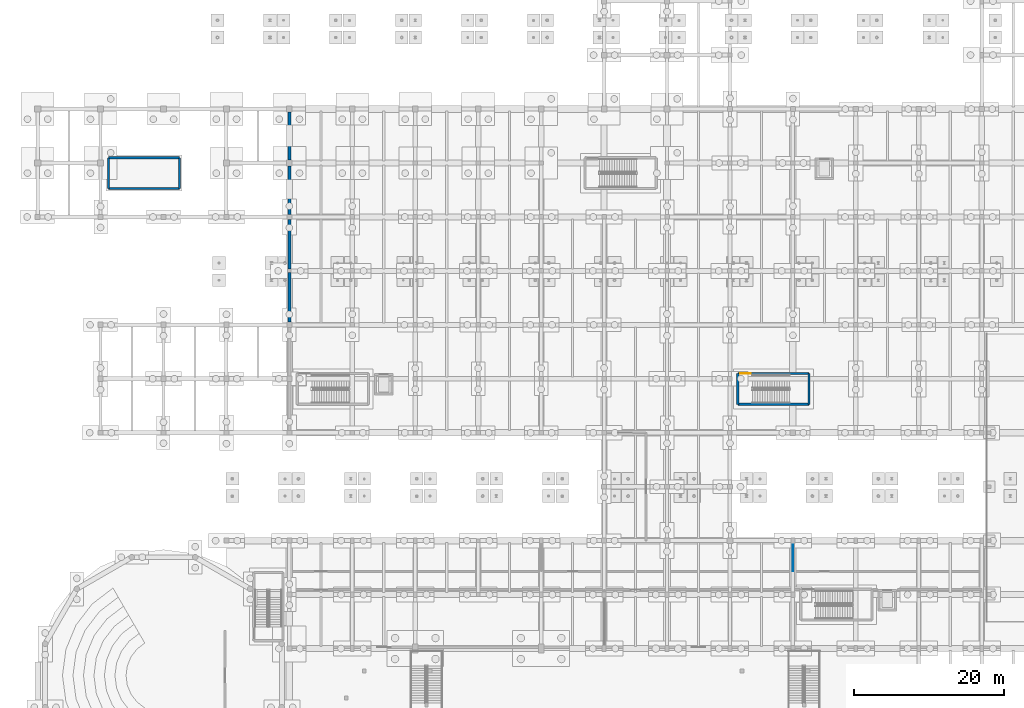
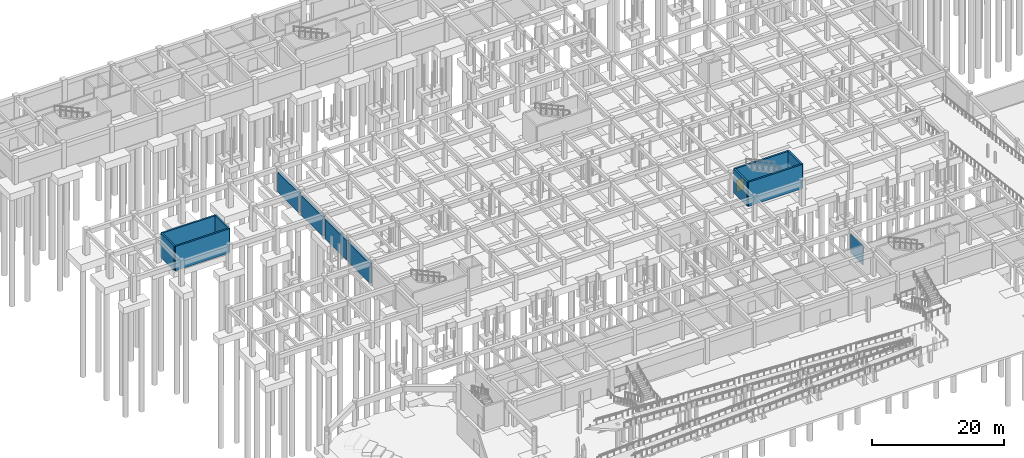
# One storey, part 60 of 80: 13 walls, 1 door, 1 opening.
"""IFC4 building model written with IfcOpenShell, lengths in metres."""

import ifcopenshell
import ifcopenshell.guid

model = None  # the IFC model being written
_history = None  # IfcOwnerHistory: only IFC2X3 demands one
_inside = {}  # id of a spatial element -> (the spatial element, [elements in it])
_under = {}  # id of a project, library or spatial element -> (it, [spatial elements below it])
_declared = {}  # id of a project -> (the project, [libraries it declares])
_typed = {}  # id of a type object -> (the type object, [elements of that type])
_made_of = {}  # id of a material, layer set ... -> (it, [elements and type objects made of it])


def new_model(schema):
    """Start an empty IFC model of exactly this schema.

    Asked for "IFC4X3", IfcOpenShell would pick the latest addendum, in which some entities
    have other attributes; the version numbers below select the first issue.
    IFC2X3 requires an IfcOwnerHistory on every rooted entity: one is made here for all.
    """
    global model, _history
    if schema == "IFC4X3":
        model = ifcopenshell.file(schema_version=(4, 3, 0, 0))
    else:
        model = ifcopenshell.file(schema=schema)
    _inside.clear()
    _under.clear()
    _declared.clear()
    _typed.clear()
    _made_of.clear()
    _history = None
    if model.schema == "IFC2X3":
        org = make("IfcOrganization", Name="unknown")
        user = make(
            "IfcPersonAndOrganization",
            ThePerson=make("IfcPerson", FamilyName="unknown"),
            TheOrganization=org,
        )
        app = make(
            "IfcApplication",
            ApplicationDeveloper=org,
            Version="unknown",
            ApplicationFullName="unknown",
            ApplicationIdentifier="unknown",
        )
        _history = make(
            "IfcOwnerHistory",
            OwningUser=user,
            OwningApplication=app,
            ChangeAction="ADDED",
            CreationDate=0,
        )
    return model


def make(cls, **values):
    """One entity of the class cls with the attributes given. An attribute that is None is left unset."""
    return model.create_entity(
        cls, **{name: value for name, value in values.items() if value is not None}
    )


def rooted(cls, **values):
    """An entity with a GlobalId (a new one), such as an element, a storey or a relation."""
    return make(cls, GlobalId=ifcopenshell.guid.new(), OwnerHistory=_history, **values)


def si_unit(unit_type, name, prefix=None):
    """IfcSIUnit, for example si_unit("LENGTHUNIT", "METRE", prefix="MILLI")."""
    return make("IfcSIUnit", UnitType=unit_type, Prefix=prefix, Name=name)


def assignment(units):
    """IfcUnitAssignment: the units of a project."""
    return None if units is None else make("IfcUnitAssignment", Units=units)


def point(xyz):
    """IfcCartesianPoint."""
    return None if xyz is None else make("IfcCartesianPoint", Coordinates=xyz)


def direction(xyz):
    """IfcDirection."""
    return None if xyz is None else make("IfcDirection", DirectionRatios=xyz)


def frame(location, z_axis=None, x_axis=None):
    """IfcAxis2Placement3D, a coordinate frame: its origin and axes. An axis left out is left unset."""
    return make(
        "IfcAxis2Placement3D",
        Location=point(location),
        Axis=direction(z_axis),
        RefDirection=direction(x_axis),
    )


def frame_2d(location, x_axis=None):
    """IfcAxis2Placement2D, a coordinate frame in the plane: its origin and x axis."""
    return make(
        "IfcAxis2Placement2D", Location=point(location), RefDirection=direction(x_axis)
    )


def origin():
    """The frame at (0, 0, 0) with its axes left unset."""
    return frame((0.0, 0.0, 0.0))


def place(relative_to, where):
    """IfcLocalPlacement: puts the frame where relative to a parent placement (None: the world)."""
    return make(
        "IfcLocalPlacement", PlacementRelTo=relative_to, RelativePlacement=where
    )


def context(
    kind, dimensions, precision=None, world=None, true_north=None, identifier=None
):
    """IfcGeometricRepresentationContext, for example the 3D "Model" context."""
    return make(
        "IfcGeometricRepresentationContext",
        ContextIdentifier=identifier,
        ContextType=kind,
        CoordinateSpaceDimension=dimensions,
        Precision=precision,
        WorldCoordinateSystem=world,
        TrueNorth=true_north,
    )


def subcontext(parent, identifier, kind, view, scale=None):
    """IfcGeometricRepresentationSubContext, for example "Body" below "Model"."""
    return make(
        "IfcGeometricRepresentationSubContext",
        ContextIdentifier=identifier,
        ContextType=kind,
        ParentContext=parent,
        TargetScale=scale,
        TargetView=view,
    )


def project(units=None, contexts=None):
    """IfcProject with its units and contexts."""
    return rooted(
        "IfcProject",
        Name="project",
        RepresentationContexts=contexts,
        UnitsInContext=assignment(units),
    )


def spatial(cls, under=None, at=None, **own):
    """A site, building, storey or space (cls), placed at a placement, below another one or the project."""
    s = rooted(cls, ObjectPlacement=at, **own)
    if under is not None:
        _under.setdefault(under.id(), (under, []))[1].append(s)
    return s


def profile(cls, at=None, kind="AREA", **sizes):
    """A parametric profile (cls). Its sizes go by their IFC names, for example OverallWidth=200.0."""
    return make(cls, ProfileType=kind, Position=at, **sizes)


def rectangle(**sizes):
    """IfcRectangleProfileDef."""
    return profile("IfcRectangleProfileDef", **sizes)


def extrude(swept, where, along, depth):
    """IfcExtrudedAreaSolid: the profile swept, set in the frame where, extruded along a direction by depth."""
    return make(
        "IfcExtrudedAreaSolid",
        SweptArea=swept,
        Position=where,
        ExtrudedDirection=direction(along),
        Depth=depth,
    )


def shape(context_of_items, identifier, shape_type, items):
    """IfcShapeRepresentation: the items that make up one representation, for example the "Body"."""
    return make(
        "IfcShapeRepresentation",
        ContextOfItems=context_of_items,
        RepresentationIdentifier=identifier,
        RepresentationType=shape_type,
        Items=items,
    )


def material(Name=None, Category=None):
    """IfcMaterial."""
    return make("IfcMaterial", Name=Name, Category=Category)


def layer(
    of_material, thickness, ventilated=None, Name=None, Category=None, Priority=None
):
    """IfcMaterialLayer: one layer of a wall or slab, of a material (None: an air gap)."""
    return make(
        "IfcMaterialLayer",
        Material=of_material,
        LayerThickness=thickness,
        IsVentilated=ventilated,
        Name=Name,
        Category=Category,
        Priority=Priority,
    )


def layer_set(layers, Name=None):
    """IfcMaterialLayerSet."""
    return make("IfcMaterialLayerSet", MaterialLayers=layers, LayerSetName=Name)


def made_of(thing, what):
    """Note that an element or type object is made of a material, layer set ...; save() writes the relation."""
    if what is not None:
        _made_of.setdefault(what.id(), (what, []))[1].append(thing)
    return thing


def type_object(cls, material=None, **own):
    """A type object (cls), such as IfcWallType, which elements share."""
    return made_of(rooted(cls, **own), material)


def element(
    cls,
    number,
    at=None,
    inside=None,
    cuts=None,
    type_object=None,
    material=None,
    context=None,
    identifier="Body",
    shape_type=None,
    held_by="IfcProductDefinitionShape",
    body=None,
    shapes=None,
    **own,
):
    """One element of the class cls, such as IfcWall. Its Tag is "e" and its number.

    at: its placement. inside: the storey or other place that contains it. cuts: it is an
    opening in that element (IfcRelVoidsElement). A single representation is given by context,
    identifier, shape_type and body (its items); several are given by shapes. held_by: the class
    of the entity that holds the representations. save() writes the other relations.
    """
    e = rooted(cls, Tag="e%d" % number, ObjectPlacement=at, **own)
    if body is not None:
        shapes = [shape(context, identifier, shape_type, body)]
    if shapes is not None:
        e.Representation = make(held_by, Representations=shapes)
    if inside is not None:
        _inside.setdefault(inside.id(), (inside, []))[1].append(e)
    if cuts is not None:
        rooted(
            "IfcRelVoidsElement", RelatingBuildingElement=cuts, RelatedOpeningElement=e
        )
    if type_object is not None:
        _typed.setdefault(type_object.id(), (type_object, []))[1].append(e)
    return made_of(e, material)


def fill(opening, filler):
    """IfcRelFillsElement: the door or window that sits in an opening."""
    return rooted(
        "IfcRelFillsElement",
        RelatingOpeningElement=opening,
        RelatedBuildingElement=filler,
    )


def aggregate(whole, parts):
    """IfcRelAggregates: a whole, such as a stair, and the parts it consists of."""
    return rooted("IfcRelAggregates", RelatingObject=whole, RelatedObjects=parts)


def save(model, path):
    """Write the relations noted so far, then the file.

    IfcRelAggregates (storeys below a building ...), IfcRelContainedInSpatialStructure (elements
    in a storey), IfcRelDefinesByType, IfcRelAssociatesMaterial and IfcRelDeclares: one each for
    every whole, place, type object, material and project.
    """
    for whole, parts in _under.values():
        aggregate(whole, parts)
    for where, things in _inside.values():
        rooted(
            "IfcRelContainedInSpatialStructure",
            RelatedElements=things,
            RelatingStructure=where,
        )
    for kind, things in _typed.values():
        rooted("IfcRelDefinesByType", RelatedObjects=things, RelatingType=kind)
    for what, things in _made_of.values():
        rooted("IfcRelAssociatesMaterial", RelatedObjects=things, RelatingMaterial=what)
    for by, libraries in _declared.values():
        rooted("IfcRelDeclares", RelatingContext=by, RelatedDefinitions=libraries)
    model.write(path)


model = new_model("IFC4")

# Units and contexts
model_context = context("Model", 3, precision=1e-05, world=origin(), true_north=direction((0.0, 1.0)))
body_context = subcontext(model_context, "Body", "Model", "MODEL_VIEW")
ifc_project = project(units=[si_unit("LENGTHUNIT", "METRE"), si_unit("AREAUNIT", "SQUARE_METRE"), si_unit("VOLUMEUNIT", "CUBIC_METRE"), si_unit("PLANEANGLEUNIT", "RADIAN"), si_unit("MASSUNIT", "GRAM", prefix="KILO")], contexts=[model_context])

# Site, building, storey
site_placement = place(None, origin())
site = spatial("IfcSite", under=ifc_project, at=site_placement, CompositionType="ELEMENT")
building_placement = place(site_placement, origin())
building = spatial("IfcBuilding", under=site, at=building_placement, Name="Malvenik Polytechnic", CompositionType="ELEMENT")
storey_placement = place(building_placement, frame((0.0, 0.0, -4.800048828125)))
storey = spatial("IfcBuildingStorey", under=building, at=storey_placement, Name="B1", CompositionType="ELEMENT", Elevation=-4.800048828125)

# Walls
ifc_material_1 = material(Name="Concrete C35/45", Category="concrete")
ifc_layer_1 = layer(ifc_material_1, 0.300048828125)
ifc_layer_set_1 = layer_set([ifc_layer_1], Name="Concrete C35/45")
wall_type_1 = type_object("IfcWallType", Name="ARC-CW-S300", PredefinedType="SHEAR", material=ifc_layer_set_1)
wall_1_placement = place(storey_placement, frame((9.449951171875, 83.0, 0.0), z_axis=(0.0, 0.0, 1.0), x_axis=(0.0, 1.0, 0.0)))
element("IfcWall", 1, at=wall_1_placement, inside=storey, type_object=wall_type_1, Name="Stair Core Shear Wall ST-04 B1 NEAR", PredefinedType="SHEAR", context=body_context, shape_type="SweptSolid", body=[
    extrude(rectangle(XDim=4.10009765625, YDim=0.300048828125, at=frame_2d((2.050048828125, 0.0))), origin(), (0.0, 0.0, 1.0), 4.5),
])
wall_2_placement = place(storey_placement, frame((9.449951171875, 87.10009765625, 0.0), z_axis=(0.0, 0.0, 1.0), x_axis=(1.0, 0.0, 0.0)))
element("IfcWall", 2, at=wall_2_placement, inside=storey, type_object=wall_type_1, Name="Stair Core Shear Wall ST-04 B1 RGHT", PredefinedType="SHEAR", context=body_context, shape_type="SweptSolid", body=[
    extrude(rectangle(XDim=9.5, YDim=0.300048828125, at=frame_2d((4.75, 0.0))), origin(), (0.0, 0.0, 1.0), 4.5),
])
wall_3_placement = place(storey_placement, frame((18.949951171875, 87.10009765625, 0.0), z_axis=(0.0, 0.0, 1.0), x_axis=(0.0, -1.0, 0.0)))
element("IfcWall", 3, at=wall_3_placement, inside=storey, type_object=wall_type_1, Name="Stair Core Shear Wall ST-04 B1 FAR", PredefinedType="SHEAR", context=body_context, shape_type="SweptSolid", body=[
    extrude(rectangle(XDim=4.10009765625, YDim=0.300048828125, at=frame_2d((2.050048828125, 0.0))), origin(), (0.0, 0.0, 1.0), 4.5),
])
wall_4_placement = place(storey_placement, frame((18.949951171875, 83.0, 0.0), z_axis=(0.0, 0.0, 1.0), x_axis=(-1.0, 0.0, 0.0)))
element("IfcWall", 4, at=wall_4_placement, inside=storey, type_object=wall_type_1, Name="Stair Core Shear Wall ST-04 B1 LEFT", PredefinedType="SHEAR", context=body_context, shape_type="SweptSolid", body=[
    extrude(rectangle(XDim=9.5, YDim=0.300048828125, at=frame_2d((4.75, 0.0))), origin(), (0.0, 0.0, 1.0), 4.5),
])
wall_5_placement = place(storey_placement, frame((93.449951171875, 54.199951171875, 0.0), z_axis=(0.0, 0.0, 1.0), x_axis=(0.0, 1.0, 0.0)))
element("IfcWall", 5, at=wall_5_placement, inside=storey, type_object=wall_type_1, Name="Stair Core Shear Wall ST-07 B1 NEAR", PredefinedType="SHEAR", context=body_context, shape_type="SweptSolid", body=[
    extrude(rectangle(XDim=4.10009765625, YDim=0.300048828125, at=frame_2d((2.050048828125, 0.0))), origin(), (0.0, 0.0, 1.0), 4.5),
])

# Wall, opening, door
wall_6_placement = place(storey_placement, frame((93.449951171875, 58.300048828125, 0.0), z_axis=(0.0, 0.0, 1.0), x_axis=(1.0, 0.0, 0.0)))
wall_6 = element("IfcWall", 6, at=wall_6_placement, inside=storey, type_object=wall_type_1, Name="Stair Core Shear Wall ST-07 B1 RGHT", PredefinedType="SHEAR", context=body_context, shape_type="SweptSolid", body=[
    extrude(rectangle(XDim=9.5, YDim=0.300048828125, at=frame_2d((4.75, 0.0))), origin(), (0.0, 0.0, 1.0), 4.5),
])
opening_placement = place(wall_6_placement, frame((0.35009765625, 0.0, 0.0)))
opening = element("IfcOpeningElement", 7, at=opening_placement, cuts=wall_6, Name="Opening SD-01", PredefinedType="OPENING", context=body_context, shape_type="SweptSolid", body=[
    extrude(rectangle(XDim=1.35009765625, YDim=2.199951171875, at=frame_2d((0.675048828125, 1.10009765625))), frame((0.0, 0.16015625, 0.0), z_axis=(0.0, -1.0, 0.0), x_axis=(1.0, 0.0, 0.0)), (0.0, 0.0, 1.0), 0.320068359375),
])
ifc_material_2 = material(Name="Fire-rated steel stair enclosure door", Category="steel")
door_type = type_object("IfcDoorType", Name="ARC-IDR-SD-01", OperationType="NOTDEFINED", PredefinedType="DOOR", material=ifc_material_2)
door_placement = place(opening_placement, origin())
door = element("IfcDoor", 8, at=door_placement, inside=storey, type_object=door_type, Name="Fire Stair Door ST-07 B1", OperationType="SINGLE_SWING_RIGHT", OverallHeight=2.199951171875, OverallWidth=1.35009765625, PredefinedType="DOOR", context=body_context, shape_type="SweptSolid", body=[
    extrude(rectangle(XDim=1.35009765625, YDim=2.199951171875, at=frame_2d((0.675048828125, 1.10009765625))), frame((0.0, 0.02490234375, 0.0), z_axis=(0.0, -1.0, 0.0), x_axis=(1.0, 0.0, 0.0)), (0.0, 0.0, 1.0), 0.050048828125),
])
fill(opening, door)

# Walls
wall_7_placement = place(storey_placement, frame((102.949951171875, 58.300048828125, 0.0), z_axis=(0.0, 0.0, 1.0), x_axis=(0.0, -1.0, 0.0)))
element("IfcWall", 9, at=wall_7_placement, inside=storey, type_object=wall_type_1, Name="Stair Core Shear Wall ST-07 B1 FAR", PredefinedType="SHEAR", context=body_context, shape_type="SweptSolid", body=[
    extrude(rectangle(XDim=4.10009765625, YDim=0.300048828125, at=frame_2d((2.050048828125, 0.0))), origin(), (0.0, 0.0, 1.0), 4.5),
])
wall_8_placement = place(storey_placement, frame((102.949951171875, 54.199951171875, 0.0), z_axis=(0.0, 0.0, 1.0), x_axis=(-1.0, 0.0, 0.0)))
element("IfcWall", 10, at=wall_8_placement, inside=storey, type_object=wall_type_1, Name="Stair Core Shear Wall ST-07 B1 LEFT", PredefinedType="SHEAR", context=body_context, shape_type="SweptSolid", body=[
    extrude(rectangle(XDim=9.5, YDim=0.300048828125, at=frame_2d((4.75, 0.0))), origin(), (0.0, 0.0, 1.0), 4.5),
])
ifc_material_3 = material(Name="Lightweight gypsum partition 110mm", Category="gypsum")
ifc_layer_2 = layer(ifc_material_3, 0.110107421875)
ifc_layer_set_2 = layer_set([ifc_layer_2], Name="Lightweight gypsum partition 110mm")
wall_type_2 = type_object("IfcWallType", Name="ARC-PW-110", PredefinedType="PARTITIONING", material=ifc_layer_set_2)
wall_9_placement = place(storey_placement, frame((100.800048828125, 31.89990234375, 0.0), z_axis=(0.0, 0.0, 1.0), x_axis=(0.0, 1.0, 0.0)))
element("IfcWall", 11, at=wall_9_placement, inside=storey, type_object=wall_type_2, Name="Interior Partition PW-04I B1 #32", PredefinedType="PARTITIONING", context=body_context, shape_type="SweptSolid", body=[
    extrude(rectangle(XDim=3.705078125, YDim=0.110107421875, at=frame_2d((1.8525390625, 0.0))), origin(), (0.0, 0.0, 1.0), 3.635009765625),
])
ifc_layer_3 = layer(ifc_material_1, 0.39990234375)
ifc_layer_set_3 = layer_set([ifc_layer_3], Name="Concrete C35/45")
wall_type_3 = type_object("IfcWallType", Name="STR-WL-RET-400", PredefinedType="SHEAR", material=ifc_layer_set_3)
for number, where, z_axis, x_axis, name in (
    (12, (33.60009765625, 65.155029296875, 0.0), (0.0, 0.0, 1.0), (0.0, 1.0, 0.0), "Basement Retaining Wall RW-400 #37"),
    (13, (33.60009765625, 72.22998046875, 0.0), (0.0, 0.0, 1.0), (0.0, 1.0, 0.0), "Basement Retaining Wall RW-400 #38"),
):
    element("IfcWall", number, at=place(storey_placement, frame(where, z_axis=z_axis, x_axis=x_axis)), inside=storey, type_object=wall_type_3, Name=name, PredefinedType="SHEAR", context=body_context, shape_type="SweptSolid", body=[
        extrude(rectangle(XDim=6.614990234375, YDim=0.39990234375, at=frame_2d((3.3076171875, 0.0))), origin(), (0.0, 0.0, 1.0), 3.64013671875),
    ])
wall_10_placement = place(storey_placement, frame((33.60009765625, 79.554931640625, 0.0), z_axis=(0.0, 0.0, 1.0), x_axis=(0.0, 1.0, 0.0)))
element("IfcWall", 14, at=wall_10_placement, inside=storey, type_object=wall_type_3, Name="Basement Retaining Wall RW-400 #39", PredefinedType="SHEAR", context=body_context, shape_type="SweptSolid", body=[
    extrude(rectangle(XDim=6.465087890625, YDim=0.39990234375, at=frame_2d((3.232421875, 0.0))), origin(), (0.0, 0.0, 1.0), 3.64013671875),
])
wall_11_placement = place(storey_placement, frame((33.60009765625, 86.780029296875, 0.0), z_axis=(0.0, 0.0, 1.0), x_axis=(0.0, 1.0, 0.0)))
element("IfcWall", 15, at=wall_11_placement, inside=storey, type_object=wall_type_3, Name="Basement Retaining Wall RW-400 #40", PredefinedType="SHEAR", context=body_context, shape_type="SweptSolid", body=[
    extrude(rectangle(XDim=6.43994140625, YDim=0.39990234375, at=frame_2d((3.219970703125, 0.0))), origin(), (0.0, 0.0, 1.0), 3.64013671875),
])

save(model, "model.ifc")
